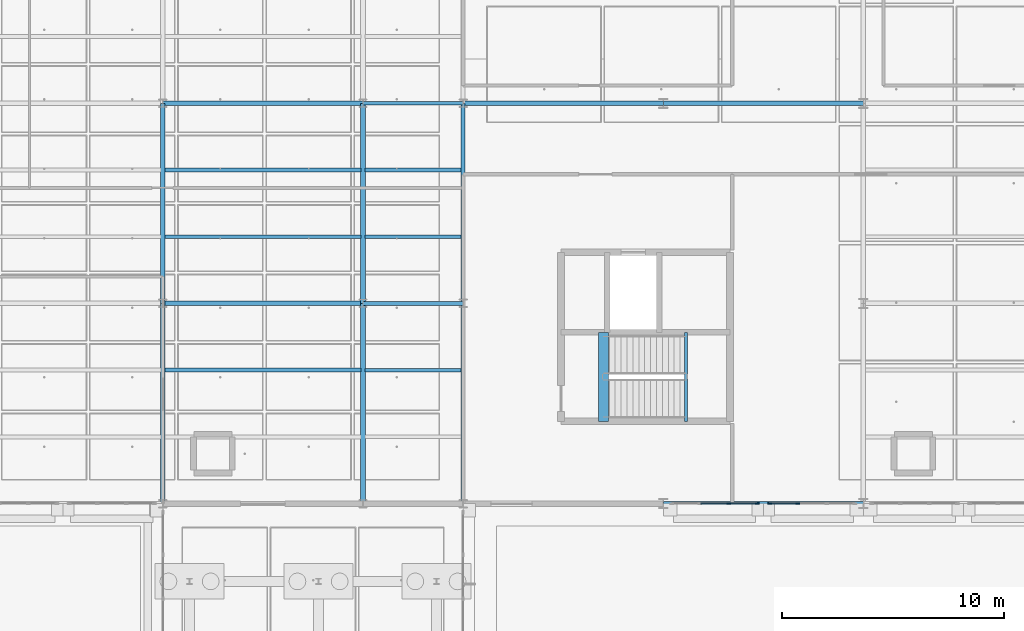
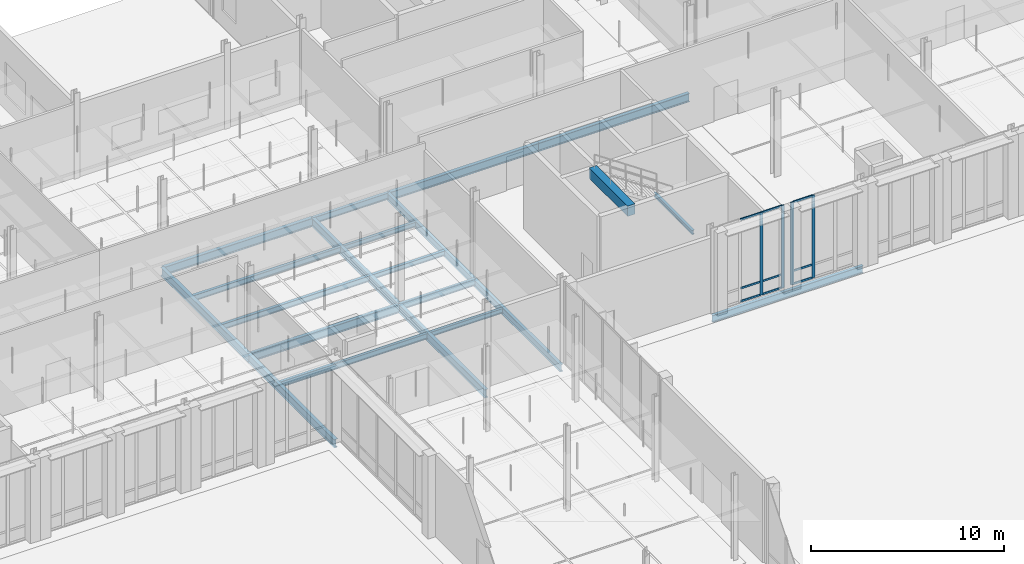
# One storey, part 58 of 180: 21 beams, 13 members, 2 elements without a shape of their own.
"""IFC4 building model written with IfcOpenShell, lengths in metres."""

from ifc_helpers import new_model, si_unit, direction, frame, origin, origin_2d, place, context, subcontext, project, spatial, rectangle, i_section, extrude, material, material_profile, profile_set, type_object, element, aggregate, save


model = new_model("IFC4")

# Units and contexts
model_context = context("Model", 3, precision=1e-05, world=origin(), true_north=direction((0.0, 1.0)))
body_context = subcontext(model_context, "Body", "Model", "MODEL_VIEW")
ifc_project = project(units=[si_unit("LENGTHUNIT", "METRE"), si_unit("AREAUNIT", "SQUARE_METRE"), si_unit("VOLUMEUNIT", "CUBIC_METRE"), si_unit("PLANEANGLEUNIT", "RADIAN"), si_unit("MASSUNIT", "GRAM", prefix="KILO"), si_unit("THERMODYNAMICTEMPERATUREUNIT", "KELVIN"), si_unit("POWERUNIT", "WATT")], contexts=[model_context])

# Site, building, storey
site_placement = place(None, origin())
site = spatial("IfcSite", under=ifc_project, at=site_placement, CompositionType="ELEMENT")
building_placement = place(site_placement, origin())
building = spatial("IfcBuilding", under=site, at=building_placement, Name="Tallowbark Science Centre", CompositionType="ELEMENT")
storey_placement = place(building_placement, origin())
storey = spatial("IfcBuildingStorey", under=building, at=storey_placement, Name="L00", CompositionType="ELEMENT", Elevation=0.0)

# Beams
ifc_material_1 = material(Name="Concrete Grade N40 (40 MPa)", Category="concrete")
ifc_material_profile_1 = material_profile(ifc_material_1, rectangle(XDim=0.449951171875, YDim=0.64990234375, at=origin_2d()), Name="RC450x650")
ifc_profile_set_1 = profile_set([ifc_material_profile_1], Name="Concrete Grade N40 (40 MPa)")
beam_type_1 = type_object("IfcBeamType", Name="BM-GB2-N40", PredefinedType="BEAM", material=ifc_profile_set_1)
beam_1_placement = place(storey_placement, frame((118.81005859375, 75.699951171875, 5.074951171875), z_axis=(0.0, 1.0, 0.0), x_axis=(-1.0, 0.0, 0.0)))
element("IfcBeam", 1, at=beam_1_placement, inside=storey, type_object=beam_type_1, Name="Stair ST-02 Landing Nosing Beam L00", PredefinedType="BEAM", context=body_context, shape_type="SweptSolid", body=[
    extrude(rectangle(XDim=0.449951171875, YDim=0.64990234375, at=origin_2d()), origin(), (0.0, 0.0, 1.0), 3.9951171875),
])
ifc_material_2 = material(Name="Structural Steel Grade 300PLUS (300 MPa)", Category="steel")
ifc_material_profile_2 = material_profile(ifc_material_2, i_section(OverallWidth=0.177734375, OverallDepth=0.406494140625, WebThickness=0.0078125, FlangeThickness=0.0126953125, FilletRadius=0.011474609375, at=origin_2d()), Name="410UB59.7")
ifc_profile_set_2 = profile_set([ifc_material_profile_2], Name="Structural Steel Grade 300PLUS (300 MPa)")
beam_type_2 = type_object("IfcBeamType", Name="BM-UB410", PredefinedType="BEAM", material=ifc_profile_set_2)
for number, where, z_axis, x_axis, name in (
    (2, (108.0, 81.0, -0.443115234375), (1.0, 0.0, 0.0), (0.0, 1.0, 0.0), "Primary Girder GRDX-L00-1080-1125-810"),
    (3, (108.0, 90.0, -0.443115234375), (1.0, 0.0, 0.0), (0.0, 1.0, 0.0), "Primary Girder GRDX-L00-1080-1125-900"),
):
    element("IfcBeam", number, at=place(storey_placement, frame(where, z_axis=z_axis, x_axis=x_axis)), inside=storey, type_object=beam_type_2, Name=name, PredefinedType="BEAM", context=body_context, shape_type="SweptSolid", body=[
        extrude(i_section(OverallWidth=0.177734375, OverallDepth=0.406494140625, WebThickness=0.0078125, FlangeThickness=0.0126953125, FilletRadius=0.011474609375, at=origin_2d()), origin(), (0.0, 0.0, 1.0), 4.5),
    ])
ifc_material_profile_3 = material_profile(ifc_material_2, i_section(OverallWidth=0.208984375, OverallDepth=0.532958984375, WebThickness=0.01025390625, FlangeThickness=0.015625, FilletRadius=0.013916015625, at=origin_2d()), Name="530UB92.4")
ifc_profile_set_3 = profile_set([ifc_material_profile_3], Name="Structural Steel Grade 300PLUS (300 MPa)")
beam_type_3 = type_object("IfcBeamType", Name="BM-UB530A", PredefinedType="BEAM", material=ifc_profile_set_3)
for number, where, z_axis, x_axis, name in (
    (4, (99.0, 81.0, -0.506591796875), (1.0, 0.0, 0.0), (0.0, 1.0, 0.0), "Primary Girder GRDX-L00-990-1080-810"),
    (5, (99.0, 90.0, -0.506591796875), (1.0, 0.0, 0.0), (0.0, 1.0, 0.0), "Primary Girder GRDX-L00-990-1080-900"),
    (6, (112.5, 90.0, -0.506591796875), (1.0, 0.0, 0.0), (0.0, 1.0, 0.0), "Primary Girder GRDX-L00-1125-1215-900"),
    (7, (121.5, 90.0, -0.506591796875), (1.0, 0.0, 0.0), (0.0, 1.0, 0.0), "Primary Girder GRDX-L00-1215-1305-900"),
):
    element("IfcBeam", number, at=place(storey_placement, frame(where, z_axis=z_axis, x_axis=x_axis)), inside=storey, type_object=beam_type_3, Name=name, PredefinedType="BEAM", context=body_context, shape_type="SweptSolid", body=[
        extrude(i_section(OverallWidth=0.208984375, OverallDepth=0.532958984375, WebThickness=0.01025390625, FlangeThickness=0.015625, FilletRadius=0.013916015625, at=origin_2d()), origin(), (0.0, 0.0, 1.0), 9.0),
    ])
ifc_material_profile_4 = material_profile(ifc_material_2, i_section(OverallWidth=0.208740234375, OverallDepth=0.5283203125, WebThickness=0.009521484375, FlangeThickness=0.01318359375, FilletRadius=0.013916015625, at=origin_2d()), Name="530UB82.0")
ifc_profile_set_4 = profile_set([ifc_material_profile_4], Name="Structural Steel Grade 300PLUS (300 MPa)")
beam_type_4 = type_object("IfcBeamType", Name="BM-UB530B", PredefinedType="BEAM", material=ifc_profile_set_4)
for number, where, z_axis, x_axis, name in (
    (8, (99.0, 72.0, -0.504150390625), (0.0, 1.0, 0.0), (-1.0, 0.0, 0.0), "Primary Girder GRDY-L00-990-720-810"),
    (9, (99.0, 81.0, -0.504150390625), (0.0, 1.0, 0.0), (-1.0, 0.0, 0.0), "Primary Girder GRDY-L00-990-810-900"),
    (10, (108.0, 72.0, -0.504150390625), (0.0, 1.0, 0.0), (-1.0, 0.0, 0.0), "Primary Girder GRDY-L00-1080-720-810"),
    (11, (108.0, 81.0, -0.504150390625), (0.0, 1.0, 0.0), (-1.0, 0.0, 0.0), "Primary Girder GRDY-L00-1080-810-900"),
):
    element("IfcBeam", number, at=place(storey_placement, frame(where, z_axis=z_axis, x_axis=x_axis)), inside=storey, type_object=beam_type_4, Name=name, PredefinedType="BEAM", context=body_context, shape_type="SweptSolid", body=[
        extrude(i_section(OverallWidth=0.208740234375, OverallDepth=0.5283203125, WebThickness=0.009521484375, FlangeThickness=0.01318359375, FilletRadius=0.013916015625, at=origin_2d()), origin(), (0.0, 0.0, 1.0), 9.0),
    ])

# Curtain wall, members
ifc_material_3 = material(Name="Unitised Thermally Broken Aluminium and Low-E Double Glazing", Category="aluminium")
curtain_wall_type = type_object("IfcCurtainWallType", Name="CW-SYS-FACADE", PredefinedType="NOTDEFINED", material=ifc_material_3)
curtain_wall_1_placement = place(storey_placement, origin())
curtain_wall_1 = element("IfcCurtainWall", 12, at=curtain_wall_1_placement, inside=storey, type_object=curtain_wall_type, Name="Unitised Curtain Wall OBS-S-121A CW-L00-092", PredefinedType="NOTDEFINED")
ifc_material_4 = material(Name="Anodised Architectural Aluminium Alloy 6063-T6", Category="aluminium")
ifc_material_profile_5 = material_profile(ifc_material_4, rectangle(XDim=0.06494140625, YDim=0.179931640625, at=origin_2d()), Name="ALU65x180")
ifc_profile_set_5 = profile_set([ifc_material_profile_5], Name="Anodised Architectural Aluminium Alloy 6063-T6")
member_type_1 = type_object("IfcMemberType", Name="CWM-MUL-220", PredefinedType="MULLION", material=ifc_profile_set_5)
member_1_placement = place(storey_placement, frame((124.449951171875, 72.0, 0.0), z_axis=(0.0, 0.0, 1.0), x_axis=(0.0, 1.0, 0.0)))
member_1 = element("IfcMember", 13, at=member_1_placement, type_object=member_type_1, Name="CW-01 mullion 3", PredefinedType="MULLION", context=body_context, shape_type="SweptSolid", body=[
    extrude(rectangle(XDim=0.06494140625, YDim=0.179931640625, at=origin_2d()), origin(), (0.0, 0.0, 1.0), 5.219970703125),
])
member_2_placement = place(storey_placement, frame((125.717529296875, 72.0, 0.0), z_axis=(0.0, 0.0, 1.0), x_axis=(0.0, 1.0, 0.0)))
member_2 = element("IfcMember", 14, at=member_2_placement, type_object=member_type_1, Name="CW-01 mullion 4", PredefinedType="MULLION", context=body_context, shape_type="SweptSolid", body=[
    extrude(rectangle(XDim=0.06494140625, YDim=0.179931640625, at=origin_2d()), origin(), (0.0, 0.0, 1.0), 5.219970703125),
])

curtain_wall_2_placement = place(storey_placement, origin())
curtain_wall_2 = element("IfcCurtainWall", 15, at=curtain_wall_2_placement, inside=storey, type_object=curtain_wall_type, Name="Unitised Curtain Wall OBS-S-121B CW-L00-093", PredefinedType="NOTDEFINED")
member_3_placement = place(storey_placement, frame((126.282470703125, 72.0, 0.0), z_axis=(0.0, 0.0, 1.0), x_axis=(0.0, 1.0, 0.0)))
member_3 = element("IfcMember", 16, at=member_3_placement, type_object=member_type_1, Name="CW-01 mullion 1", PredefinedType="MULLION", context=body_context, shape_type="SweptSolid", body=[
    extrude(rectangle(XDim=0.06494140625, YDim=0.179931640625, at=origin_2d()), origin(), (0.0, 0.0, 1.0), 5.219970703125),
])
member_4_placement = place(storey_placement, frame((127.550048828125, 72.0, 0.0), z_axis=(0.0, 0.0, 1.0), x_axis=(0.0, 1.0, 0.0)))
member_4 = element("IfcMember", 17, at=member_4_placement, type_object=member_type_1, Name="CW-01 mullion 2", PredefinedType="MULLION", context=body_context, shape_type="SweptSolid", body=[
    extrude(rectangle(XDim=0.06494140625, YDim=0.179931640625, at=origin_2d()), origin(), (0.0, 0.0, 1.0), 5.219970703125),
])

# Member
ifc_material_profile_6 = material_profile(ifc_material_4, rectangle(XDim=0.054931640625, YDim=0.1201171875, at=origin_2d()), Name="ALU55x120")
ifc_profile_set_6 = profile_set([ifc_material_profile_6], Name="Anodised Architectural Aluminium Alloy 6063-T6")
member_type_2 = type_object("IfcMemberType", Name="CWM-TRN-150", PredefinedType="USERDEFINED", material=ifc_profile_set_6)
member_5_placement = place(storey_placement, frame((123.1826171875, 72.0, 0.027587890625), z_axis=(1.0, 0.0, 0.0), x_axis=(0.0, 1.0, 0.0)))
member_5 = element("IfcMember", 18, at=member_5_placement, type_object=member_type_2, Name="CW-01 transom 2.1", ObjectType="TRANSOM", PredefinedType="USERDEFINED", context=body_context, shape_type="SweptSolid", body=[
    extrude(rectangle(XDim=0.054931640625, YDim=0.1201171875, at=origin_2d()), origin(), (0.0, 0.0, 1.0), 1.23486328125),
])

member_6_placement = place(storey_placement, frame((123.1826171875, 72.0, 0.85009765625), z_axis=(1.0, 0.0, 0.0), x_axis=(0.0, 1.0, 0.0)))
member_6 = element("IfcMember", 19, at=member_6_placement, type_object=member_type_2, Name="CW-01 transom 2.2", ObjectType="TRANSOM", PredefinedType="USERDEFINED", context=body_context, shape_type="SweptSolid", body=[
    extrude(rectangle(XDim=0.054931640625, YDim=0.1201171875, at=origin_2d()), origin(), (0.0, 0.0, 1.0), 1.23486328125),
])

member_7_placement = place(storey_placement, frame((123.1826171875, 72.0, 5.1923828125), z_axis=(1.0, 0.0, 0.0), x_axis=(0.0, 1.0, 0.0)))
member_7 = element("IfcMember", 20, at=member_7_placement, type_object=member_type_2, Name="CW-01 transom 2.3", ObjectType="TRANSOM", PredefinedType="USERDEFINED", context=body_context, shape_type="SweptSolid", body=[
    extrude(rectangle(XDim=0.054931640625, YDim=0.1201171875, at=origin_2d()), origin(), (0.0, 0.0, 1.0), 1.23486328125),
])

member_8_placement = place(storey_placement, frame((124.482421875, 72.0, 0.027587890625), z_axis=(1.0, 0.0, 0.0), x_axis=(0.0, 1.0, 0.0)))
member_8 = element("IfcMember", 21, at=member_8_placement, type_object=member_type_2, Name="CW-01 transom 3.1", ObjectType="TRANSOM", PredefinedType="USERDEFINED", context=body_context, shape_type="SweptSolid", body=[
    extrude(rectangle(XDim=0.054931640625, YDim=0.1201171875, at=origin_2d()), origin(), (0.0, 0.0, 1.0), 1.20263671875),
])

member_9_placement = place(storey_placement, frame((124.482421875, 72.0, 0.85009765625), z_axis=(1.0, 0.0, 0.0), x_axis=(0.0, 1.0, 0.0)))
member_9 = element("IfcMember", 22, at=member_9_placement, type_object=member_type_2, Name="CW-01 transom 3.2", ObjectType="TRANSOM", PredefinedType="USERDEFINED", context=body_context, shape_type="SweptSolid", body=[
    extrude(rectangle(XDim=0.054931640625, YDim=0.1201171875, at=origin_2d()), origin(), (0.0, 0.0, 1.0), 1.20263671875),
])

member_10_placement = place(storey_placement, frame((124.482421875, 72.0, 5.1923828125), z_axis=(1.0, 0.0, 0.0), x_axis=(0.0, 1.0, 0.0)))
member_10 = element("IfcMember", 23, at=member_10_placement, type_object=member_type_2, Name="CW-01 transom 3.3", ObjectType="TRANSOM", PredefinedType="USERDEFINED", context=body_context, shape_type="SweptSolid", body=[
    extrude(rectangle(XDim=0.054931640625, YDim=0.1201171875, at=origin_2d()), origin(), (0.0, 0.0, 1.0), 1.20263671875),
])

aggregate(curtain_wall_1, [member_1, member_2, member_5, member_6, member_7, member_8, member_9, member_10])

member_11_placement = place(storey_placement, frame((126.31494140625, 72.0, 0.027587890625), z_axis=(1.0, 0.0, 0.0), x_axis=(0.0, 1.0, 0.0)))
member_11 = element("IfcMember", 24, at=member_11_placement, type_object=member_type_2, Name="CW-01 transom 1.1", ObjectType="TRANSOM", PredefinedType="USERDEFINED", context=body_context, shape_type="SweptSolid", body=[
    extrude(rectangle(XDim=0.054931640625, YDim=0.1201171875, at=origin_2d()), origin(), (0.0, 0.0, 1.0), 1.20263671875),
])

member_12_placement = place(storey_placement, frame((126.31494140625, 72.0, 0.85009765625), z_axis=(1.0, 0.0, 0.0), x_axis=(0.0, 1.0, 0.0)))
member_12 = element("IfcMember", 25, at=member_12_placement, type_object=member_type_2, Name="CW-01 transom 1.2", ObjectType="TRANSOM", PredefinedType="USERDEFINED", context=body_context, shape_type="SweptSolid", body=[
    extrude(rectangle(XDim=0.054931640625, YDim=0.1201171875, at=origin_2d()), origin(), (0.0, 0.0, 1.0), 1.20263671875),
])

member_13_placement = place(storey_placement, frame((126.31494140625, 72.0, 5.1923828125), z_axis=(1.0, 0.0, 0.0), x_axis=(0.0, 1.0, 0.0)))
member_13 = element("IfcMember", 26, at=member_13_placement, type_object=member_type_2, Name="CW-01 transom 1.3", ObjectType="TRANSOM", PredefinedType="USERDEFINED", context=body_context, shape_type="SweptSolid", body=[
    extrude(rectangle(XDim=0.054931640625, YDim=0.1201171875, at=origin_2d()), origin(), (0.0, 0.0, 1.0), 1.20263671875),
])

aggregate(curtain_wall_2, [member_3, member_4, member_11, member_12, member_13])

# Beams
ifc_material_profile_7 = material_profile(ifc_material_2, i_section(OverallWidth=0.146484375, OverallDepth=0.256103515625, WebThickness=0.00634765625, FlangeThickness=0.010986328125, FilletRadius=0.0087890625, at=origin_2d()), Name="250UB37.3")
ifc_profile_set_7 = profile_set([ifc_material_profile_7], Name="Structural Steel Grade 300PLUS (300 MPa)")
beam_type_5 = type_object("IfcBeamType", Name="JST-UB250", PredefinedType="JOIST", material=ifc_profile_set_7)
beam_2_placement = place(storey_placement, frame((122.52001953125, 75.699951171875, 2.371826171875), z_axis=(0.0, 1.0, 0.0), x_axis=(-1.0, 0.0, 0.0)))
element("IfcBeam", 27, at=beam_2_placement, inside=storey, type_object=beam_type_5, Name="Stair ST-02 Half-Landing Trimmer L00", PredefinedType="JOIST", context=body_context, shape_type="SweptSolid", body=[
    extrude(i_section(OverallWidth=0.146484375, OverallDepth=0.256103515625, WebThickness=0.00634765625, FlangeThickness=0.010986328125, FilletRadius=0.0087890625, at=origin_2d()), origin(), (0.0, 0.0, 1.0), 3.9951171875),
])
ifc_material_profile_8 = material_profile(ifc_material_2, i_section(OverallWidth=0.166015625, OverallDepth=0.30712890625, WebThickness=0.006591796875, FlangeThickness=0.01171875, FilletRadius=0.011474609375, at=origin_2d()), Name="310UB46.2")
ifc_profile_set_8 = profile_set([ifc_material_profile_8], Name="Structural Steel Grade 300PLUS (300 MPa)")
beam_type_6 = type_object("IfcBeamType", Name="JST-UB310", PredefinedType="JOIST", material=ifc_profile_set_8)
for number, where, z_axis, x_axis, name in (
    (28, (108.0849609375, 78.0, -0.3935546875), (1.0, 0.0, 0.0), (0.0, 1.0, 0.0), "Composite Floor Joist JSTX-L00-1080-780"),
    (29, (108.0849609375, 84.0, -0.3935546875), (1.0, 0.0, 0.0), (0.0, 1.0, 0.0), "Composite Floor Joist JSTX-L00-1080-840"),
    (30, (108.0849609375, 87.0, -0.3935546875), (1.0, 0.0, 0.0), (0.0, 1.0, 0.0), "Composite Floor Joist JSTX-L00-1080-870"),
):
    element("IfcBeam", number, at=place(storey_placement, frame(where, z_axis=z_axis, x_axis=x_axis)), inside=storey, type_object=beam_type_6, Name=name, PredefinedType="JOIST", context=body_context, shape_type="SweptSolid", body=[
        extrude(i_section(OverallWidth=0.166015625, OverallDepth=0.30712890625, WebThickness=0.006591796875, FlangeThickness=0.01171875, FilletRadius=0.011474609375, at=origin_2d()), origin(), (0.0, 0.0, 1.0), 4.330078125),
    ])
ifc_material_profile_9 = material_profile(ifc_material_2, i_section(OverallWidth=0.172119140625, OverallDepth=0.358642578125, WebThickness=0.008056640625, FlangeThickness=0.012939453125, FilletRadius=0.011474609375, at=origin_2d()), Name="360UB56.7")
ifc_profile_set_9 = profile_set([ifc_material_profile_9], Name="Structural Steel Grade 300PLUS (300 MPa)")
beam_type_7 = type_object("IfcBeamType", Name="JST-UB360", PredefinedType="JOIST", material=ifc_profile_set_9)
for number, where, z_axis, x_axis, name in (
    (31, (99.0849609375, 78.0, -0.419189453125), (1.0, 0.0, 0.0), (0.0, 1.0, 0.0), "Composite Floor Joist JSTX-L00-990-780"),
    (32, (99.0849609375, 84.0, -0.419189453125), (1.0, 0.0, 0.0), (0.0, 1.0, 0.0), "Composite Floor Joist JSTX-L00-990-840"),
    (33, (99.0849609375, 87.0, -0.419189453125), (1.0, 0.0, 0.0), (0.0, 1.0, 0.0), "Composite Floor Joist JSTX-L00-990-870"),
):
    element("IfcBeam", number, at=place(storey_placement, frame(where, z_axis=z_axis, x_axis=x_axis)), inside=storey, type_object=beam_type_7, Name=name, PredefinedType="JOIST", context=body_context, shape_type="SweptSolid", body=[
        extrude(i_section(OverallWidth=0.172119140625, OverallDepth=0.358642578125, WebThickness=0.008056640625, FlangeThickness=0.012939453125, FilletRadius=0.011474609375, at=origin_2d()), origin(), (0.0, 0.0, 1.0), 8.830078125),
    ])
ifc_material_profile_10 = material_profile(ifc_material_2, i_section(OverallWidth=0.18994140625, OverallDepth=0.453857421875, WebThickness=0.008544921875, FlangeThickness=0.0126953125, FilletRadius=0.011474609375, at=origin_2d()), Name="460UB67.1")
ifc_profile_set_10 = profile_set([ifc_material_profile_10], Name="Structural Steel Grade 300PLUS (300 MPa)")
beam_type_8 = type_object("IfcBeamType", Name="SPN-UB460", PredefinedType="SPANDREL", material=ifc_profile_set_10)
for number, where, z_axis, x_axis, name in (
    (34, (121.5, 72.0, -0.466796875), (1.0, 0.0, 0.0), (0.0, 1.0, 0.0), "Primary Girder GRDX-L00-1215-1305-720"),
    (35, (112.5, 72.0, -0.466796875), (0.0, 1.0, 0.0), (-1.0, 0.0, 0.0), "Primary Girder GRDY-L00-1125-720-810"),
    (36, (112.5, 81.0, -0.466796875), (0.0, 1.0, 0.0), (-1.0, 0.0, 0.0), "Primary Girder GRDY-L00-1125-810-900"),
):
    element("IfcBeam", number, at=place(storey_placement, frame(where, z_axis=z_axis, x_axis=x_axis)), inside=storey, type_object=beam_type_8, Name=name, PredefinedType="SPANDREL", context=body_context, shape_type="SweptSolid", body=[
        extrude(i_section(OverallWidth=0.18994140625, OverallDepth=0.453857421875, WebThickness=0.008544921875, FlangeThickness=0.0126953125, FilletRadius=0.011474609375, at=origin_2d()), origin(), (0.0, 0.0, 1.0), 9.0),
    ])

save(model, "model.ifc")
